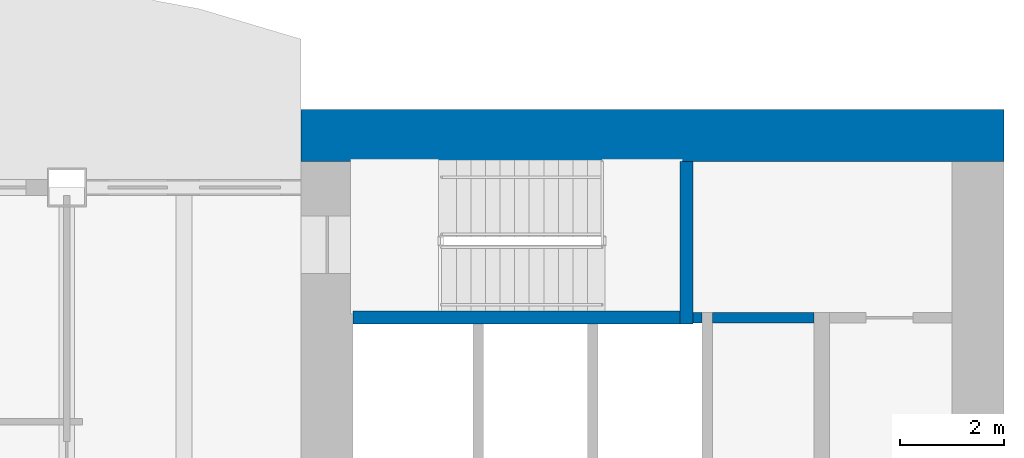
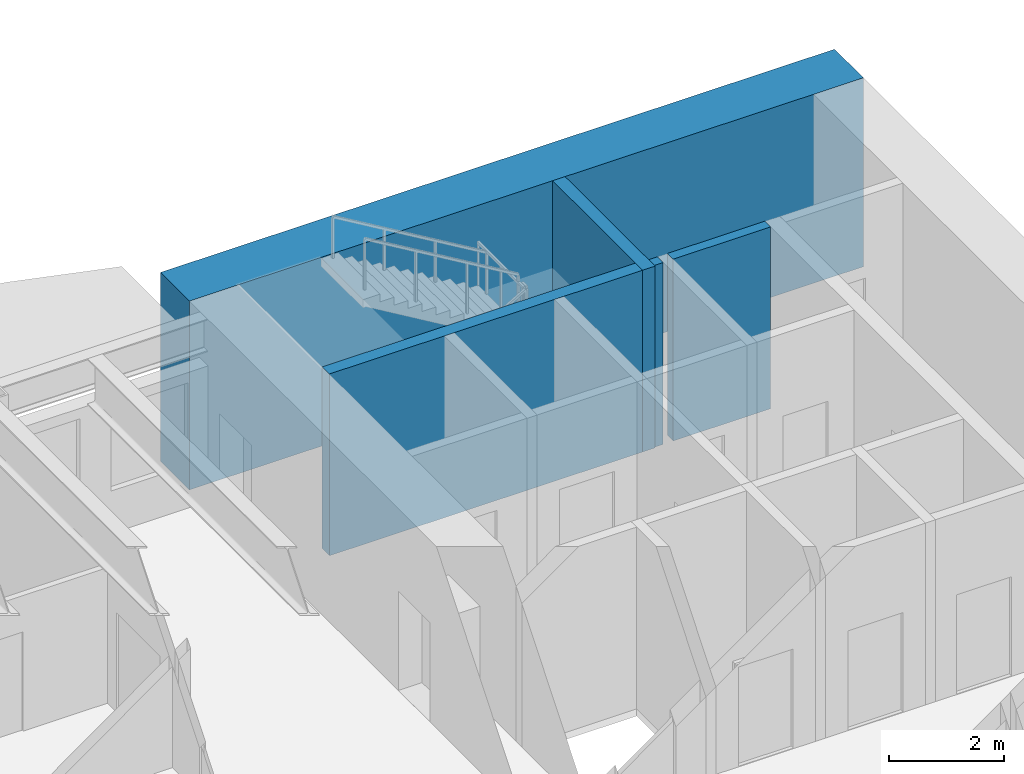
# One storey, part 8 of 17: 5 walls.
"""IFC4 building model written with IfcOpenShell, lengths in metres."""

from ifc_helpers import new_model, si_unit, direction, frame, frame_2d, origin, place, context, subcontext, project, spatial, rectangle, extrude, material, layer, layer_set, type_object, element, save


model = new_model("IFC4")

# Units and contexts
model_context = context("Model", 3, precision=1e-05, world=origin(), true_north=direction((0.0, 1.0)))
body_context = subcontext(model_context, "Body", "Model", "MODEL_VIEW")
ifc_project = project(units=[si_unit("LENGTHUNIT", "METRE"), si_unit("AREAUNIT", "SQUARE_METRE"), si_unit("VOLUMEUNIT", "CUBIC_METRE"), si_unit("PLANEANGLEUNIT", "RADIAN"), si_unit("MASSUNIT", "GRAM", prefix="KILO")], contexts=[model_context])

# Site, building, storey
site_placement = place(None, origin())
site = spatial("IfcSite", under=ifc_project, at=site_placement, CompositionType="ELEMENT")
building_placement = place(site_placement, origin())
building = spatial("IfcBuilding", under=site, at=building_placement, Name="Sennacour Bend Tower", CompositionType="ELEMENT")
storey_placement = place(building_placement, frame((0.0, 0.0, 219.0)))
storey = spatial("IfcBuildingStorey", under=building, at=storey_placement, Name="L50", CompositionType="ELEMENT", Elevation=219.0)

# Walls
ifc_material_1 = material(Name="Concrete C60/75", Category="concrete")
ifc_layer_1 = layer(ifc_material_1, 1.0, Name="Concrete C60/75", Category="concrete")
ifc_layer_set_1 = layer_set([ifc_layer_1], Name="Concrete C60/75")
wall_type_1 = type_object("IfcWallType", Name="Core wall 1000 C60/75", PredefinedType="SHEAR", material=ifc_layer_set_1)
wall_1_placement = place(storey_placement, frame((54.0, 22.0, -0.14990234375), z_axis=(0.0, 0.0, 1.0), x_axis=(1.0, 0.0, 0.0)))
element("IfcWall", 1, at=wall_1_placement, inside=storey, type_object=wall_type_1, Name="Core A wall L50 N", PredefinedType="SHEAR", context=body_context, shape_type="SweptSolid", body=[
    extrude(rectangle(XDim=13.5, YDim=1.0, at=frame_2d((6.75, 0.0))), origin(), (0.0, 0.0, 1.0), 4.0),
])
ifc_material_2 = material(Name="Fire-rated plasterboard partition on steel studs", Category="steel")
ifc_layer_2 = layer(ifc_material_2, 0.199951171875, Name="Fire-rated plasterboard partition on steel studs", Category="steel")
ifc_layer_set_2 = layer_set([ifc_layer_2], Name="Fire-rated plasterboard partition on steel studs")
wall_type_2 = type_object("IfcWallType", Name="Rated partition 200", PredefinedType="PARTITIONING", material=ifc_layer_set_2)
wall_2_placement = place(storey_placement, frame((61.89990234375, 18.5, 0.0), z_axis=(0.0, 0.0, 1.0), x_axis=(1.0, 0.0, 0.0)))
element("IfcWall", 2, at=wall_2_placement, inside=storey, type_object=wall_type_2, Name="P-L50-W071a", PredefinedType="PARTITIONING", context=body_context, shape_type="SweptSolid", body=[
    extrude(rectangle(XDim=1.9501953125, YDim=0.199951171875, at=frame_2d((0.97509765625, 0.0))), origin(), (0.0, 0.0, 1.0), 3.85009765625),
])
ifc_material_3 = material(Name="Concrete C50/60", Category="concrete")
ifc_layer_3 = layer(ifc_material_3, 0.199951171875, Name="Concrete C50/60", Category="concrete")
ifc_layer_set_3 = layer_set([ifc_layer_3], Name="Concrete C50/60")
wall_type_3 = type_object("IfcWallType", Name="Shaft wall 200", PredefinedType="SOLIDWALL", material=ifc_layer_set_3)
wall_3_placement = place(storey_placement, frame((61.52490234375, 18.5, 0.0), z_axis=(0.0, 0.0, 1.0), x_axis=(1.0, 0.0, 0.0)))
element("IfcWall", 3, at=wall_3_placement, inside=storey, type_object=wall_type_3, Name="P-L50-W070", PredefinedType="SOLIDWALL", context=body_context, shape_type="SweptSolid", body=[
    extrude(rectangle(XDim=0.175048828125, YDim=0.199951171875, at=frame_2d((0.08740234375, 0.0))), origin(), (0.0, 0.0, 1.0), 3.85009765625),
])
ifc_layer_4 = layer(ifc_material_1, 0.25, Name="Concrete C60/75", Category="concrete")
ifc_layer_set_4 = layer_set([ifc_layer_4], Name="Concrete C60/75")
wall_type_4 = type_object("IfcWallType", Name="Stair wall 250", PredefinedType="SHEAR", material=ifc_layer_set_4)
wall_4_placement = place(storey_placement, frame((61.39990234375, 18.375, 0.0), z_axis=(0.0, 0.0, 1.0), x_axis=(0.0, 1.0, 0.0)))
element("IfcWall", 4, at=wall_4_placement, inside=storey, type_object=wall_type_4, Name="P-L50-W042", PredefinedType="SHEAR", context=body_context, shape_type="SweptSolid", body=[
    extrude(rectangle(XDim=3.125, YDim=0.25, at=frame_2d((1.5625, 0.0))), origin(), (0.0, 0.0, 1.0), 3.85009765625),
])
wall_5_placement = place(storey_placement, frame((55.0, 18.5, 0.0), z_axis=(0.0, 0.0, 1.0), x_axis=(1.0, 0.0, 0.0)))
element("IfcWall", 5, at=wall_5_placement, inside=storey, type_object=wall_type_4, Name="P-L50-W069", PredefinedType="SHEAR", context=body_context, shape_type="SweptSolid", body=[
    extrude(rectangle(XDim=6.27490234375, YDim=0.25, at=frame_2d((3.137451171875, 0.0))), origin(), (0.0, 0.0, 1.0), 3.85009765625),
])

save(model, "model.ifc")
